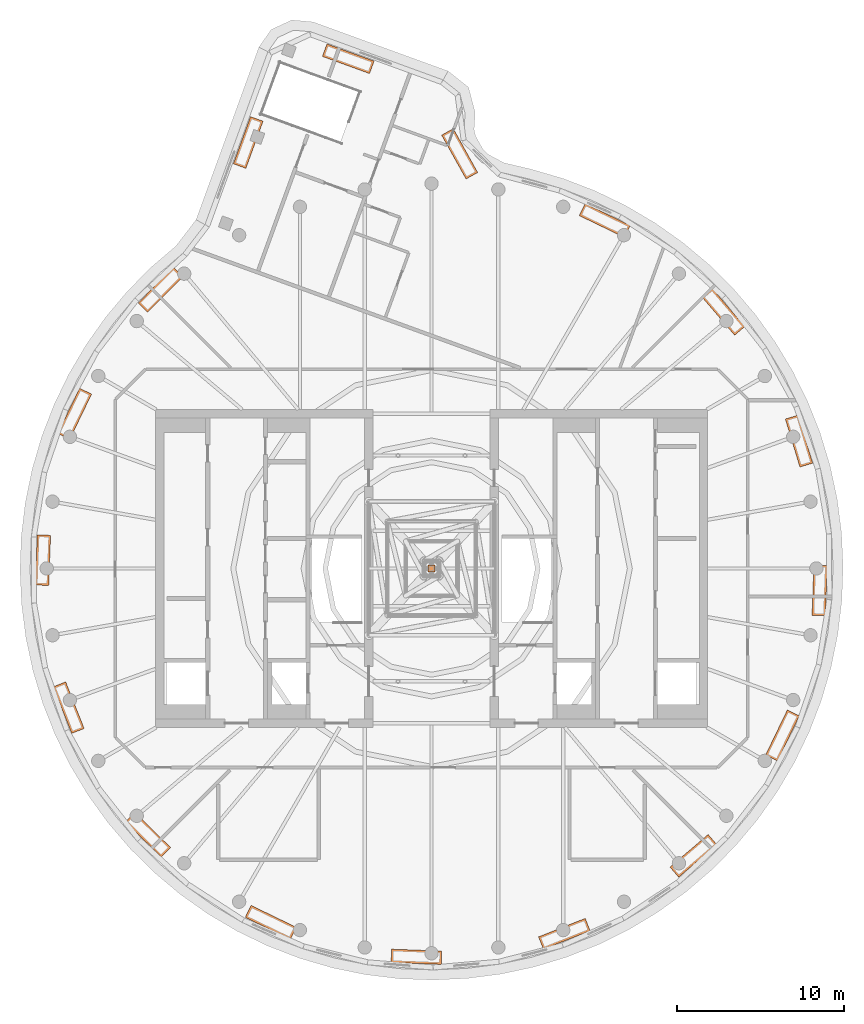
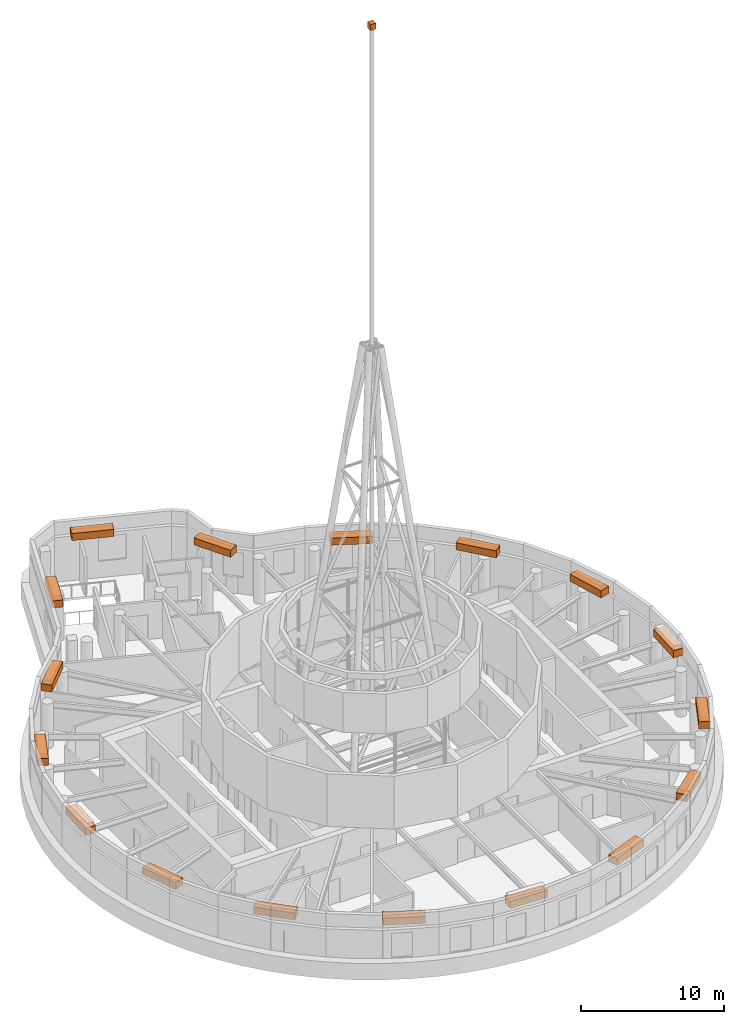
# One storey, part 17 of 17: 18 proxies.
"""IFC4 building model written with IfcOpenShell, lengths in metres."""

import ifcopenshell
import ifcopenshell.guid

model = None  # the IFC model being written
_history = None  # IfcOwnerHistory: only IFC2X3 demands one
_inside = {}  # id of a spatial element -> (the spatial element, [elements in it])
_under = {}  # id of a project, library or spatial element -> (it, [spatial elements below it])
_declared = {}  # id of a project -> (the project, [libraries it declares])
_typed = {}  # id of a type object -> (the type object, [elements of that type])
_made_of = {}  # id of a material, layer set ... -> (it, [elements and type objects made of it])


def new_model(schema):
    """Start an empty IFC model of exactly this schema.

    Asked for "IFC4X3", IfcOpenShell would pick the latest addendum, in which some entities
    have other attributes; the version numbers below select the first issue.
    IFC2X3 requires an IfcOwnerHistory on every rooted entity: one is made here for all.
    """
    global model, _history
    if schema == "IFC4X3":
        model = ifcopenshell.file(schema_version=(4, 3, 0, 0))
    else:
        model = ifcopenshell.file(schema=schema)
    _inside.clear()
    _under.clear()
    _declared.clear()
    _typed.clear()
    _made_of.clear()
    _history = None
    if model.schema == "IFC2X3":
        org = make("IfcOrganization", Name="unknown")
        user = make(
            "IfcPersonAndOrganization",
            ThePerson=make("IfcPerson", FamilyName="unknown"),
            TheOrganization=org,
        )
        app = make(
            "IfcApplication",
            ApplicationDeveloper=org,
            Version="unknown",
            ApplicationFullName="unknown",
            ApplicationIdentifier="unknown",
        )
        _history = make(
            "IfcOwnerHistory",
            OwningUser=user,
            OwningApplication=app,
            ChangeAction="ADDED",
            CreationDate=0,
        )
    return model


def make(cls, **values):
    """One entity of the class cls with the attributes given. An attribute that is None is left unset."""
    return model.create_entity(
        cls, **{name: value for name, value in values.items() if value is not None}
    )


def rooted(cls, **values):
    """An entity with a GlobalId (a new one), such as an element, a storey or a relation."""
    return make(cls, GlobalId=ifcopenshell.guid.new(), OwnerHistory=_history, **values)


def si_unit(unit_type, name, prefix=None):
    """IfcSIUnit, for example si_unit("LENGTHUNIT", "METRE", prefix="MILLI")."""
    return make("IfcSIUnit", UnitType=unit_type, Prefix=prefix, Name=name)


def assignment(units):
    """IfcUnitAssignment: the units of a project."""
    return None if units is None else make("IfcUnitAssignment", Units=units)


def point(xyz):
    """IfcCartesianPoint."""
    return None if xyz is None else make("IfcCartesianPoint", Coordinates=xyz)


def direction(xyz):
    """IfcDirection."""
    return None if xyz is None else make("IfcDirection", DirectionRatios=xyz)


def frame(location, z_axis=None, x_axis=None):
    """IfcAxis2Placement3D, a coordinate frame: its origin and axes. An axis left out is left unset."""
    return make(
        "IfcAxis2Placement3D",
        Location=point(location),
        Axis=direction(z_axis),
        RefDirection=direction(x_axis),
    )


def frame_2d(location, x_axis=None):
    """IfcAxis2Placement2D, a coordinate frame in the plane: its origin and x axis."""
    return make(
        "IfcAxis2Placement2D", Location=point(location), RefDirection=direction(x_axis)
    )


def origin():
    """The frame at (0, 0, 0) with its axes left unset."""
    return frame((0.0, 0.0, 0.0))


def origin_2d():
    """The frame at (0, 0) in the plane with its x axis left unset."""
    return frame_2d((0.0, 0.0))


def place(relative_to, where):
    """IfcLocalPlacement: puts the frame where relative to a parent placement (None: the world)."""
    return make(
        "IfcLocalPlacement", PlacementRelTo=relative_to, RelativePlacement=where
    )


def context(
    kind, dimensions, precision=None, world=None, true_north=None, identifier=None
):
    """IfcGeometricRepresentationContext, for example the 3D "Model" context."""
    return make(
        "IfcGeometricRepresentationContext",
        ContextIdentifier=identifier,
        ContextType=kind,
        CoordinateSpaceDimension=dimensions,
        Precision=precision,
        WorldCoordinateSystem=world,
        TrueNorth=true_north,
    )


def subcontext(parent, identifier, kind, view, scale=None):
    """IfcGeometricRepresentationSubContext, for example "Body" below "Model"."""
    return make(
        "IfcGeometricRepresentationSubContext",
        ContextIdentifier=identifier,
        ContextType=kind,
        ParentContext=parent,
        TargetScale=scale,
        TargetView=view,
    )


def project(units=None, contexts=None):
    """IfcProject with its units and contexts."""
    return rooted(
        "IfcProject",
        Name="project",
        RepresentationContexts=contexts,
        UnitsInContext=assignment(units),
    )


def spatial(cls, under=None, at=None, **own):
    """A site, building, storey or space (cls), placed at a placement, below another one or the project."""
    s = rooted(cls, ObjectPlacement=at, **own)
    if under is not None:
        _under.setdefault(under.id(), (under, []))[1].append(s)
    return s


def profile(cls, at=None, kind="AREA", **sizes):
    """A parametric profile (cls). Its sizes go by their IFC names, for example OverallWidth=200.0."""
    return make(cls, ProfileType=kind, Position=at, **sizes)


def rectangle(**sizes):
    """IfcRectangleProfileDef."""
    return profile("IfcRectangleProfileDef", **sizes)


def extrude(swept, where, along, depth):
    """IfcExtrudedAreaSolid: the profile swept, set in the frame where, extruded along a direction by depth."""
    return make(
        "IfcExtrudedAreaSolid",
        SweptArea=swept,
        Position=where,
        ExtrudedDirection=direction(along),
        Depth=depth,
    )


def shape(context_of_items, identifier, shape_type, items):
    """IfcShapeRepresentation: the items that make up one representation, for example the "Body"."""
    return make(
        "IfcShapeRepresentation",
        ContextOfItems=context_of_items,
        RepresentationIdentifier=identifier,
        RepresentationType=shape_type,
        Items=items,
    )


def material(Name=None, Category=None):
    """IfcMaterial."""
    return make("IfcMaterial", Name=Name, Category=Category)


def made_of(thing, what):
    """Note that an element or type object is made of a material, layer set ...; save() writes the relation."""
    if what is not None:
        _made_of.setdefault(what.id(), (what, []))[1].append(thing)
    return thing


def type_object(cls, material=None, **own):
    """A type object (cls), such as IfcWallType, which elements share."""
    return made_of(rooted(cls, **own), material)


def element(
    cls,
    number,
    at=None,
    inside=None,
    cuts=None,
    type_object=None,
    material=None,
    context=None,
    identifier="Body",
    shape_type=None,
    held_by="IfcProductDefinitionShape",
    body=None,
    shapes=None,
    **own,
):
    """One element of the class cls, such as IfcWall. Its Tag is "e" and its number.

    at: its placement. inside: the storey or other place that contains it. cuts: it is an
    opening in that element (IfcRelVoidsElement). A single representation is given by context,
    identifier, shape_type and body (its items); several are given by shapes. held_by: the class
    of the entity that holds the representations. save() writes the other relations.
    """
    e = rooted(cls, Tag="e%d" % number, ObjectPlacement=at, **own)
    if body is not None:
        shapes = [shape(context, identifier, shape_type, body)]
    if shapes is not None:
        e.Representation = make(held_by, Representations=shapes)
    if inside is not None:
        _inside.setdefault(inside.id(), (inside, []))[1].append(e)
    if cuts is not None:
        rooted(
            "IfcRelVoidsElement", RelatingBuildingElement=cuts, RelatedOpeningElement=e
        )
    if type_object is not None:
        _typed.setdefault(type_object.id(), (type_object, []))[1].append(e)
    return made_of(e, material)


def aggregate(whole, parts):
    """IfcRelAggregates: a whole, such as a stair, and the parts it consists of."""
    return rooted("IfcRelAggregates", RelatingObject=whole, RelatedObjects=parts)


def save(model, path):
    """Write the relations noted so far, then the file.

    IfcRelAggregates (storeys below a building ...), IfcRelContainedInSpatialStructure (elements
    in a storey), IfcRelDefinesByType, IfcRelAssociatesMaterial and IfcRelDeclares: one each for
    every whole, place, type object, material and project.
    """
    for whole, parts in _under.values():
        aggregate(whole, parts)
    for where, things in _inside.values():
        rooted(
            "IfcRelContainedInSpatialStructure",
            RelatedElements=things,
            RelatingStructure=where,
        )
    for kind, things in _typed.values():
        rooted("IfcRelDefinesByType", RelatedObjects=things, RelatingType=kind)
    for what, things in _made_of.values():
        rooted("IfcRelAssociatesMaterial", RelatedObjects=things, RelatingMaterial=what)
    for by, libraries in _declared.values():
        rooted("IfcRelDeclares", RelatingContext=by, RelatedDefinitions=libraries)
    model.write(path)


model = new_model("IFC4")

# Units and contexts
model_context = context("Model", 3, precision=1e-05, world=origin(), true_north=direction((0.0, 1.0)))
body_context = subcontext(model_context, "Body", "Model", "MODEL_VIEW")
ifc_project = project(units=[si_unit("LENGTHUNIT", "METRE"), si_unit("AREAUNIT", "SQUARE_METRE"), si_unit("VOLUMEUNIT", "CUBIC_METRE"), si_unit("PLANEANGLEUNIT", "RADIAN"), si_unit("MASSUNIT", "GRAM", prefix="KILO")], contexts=[model_context])

# Site, building, storey
site_placement = place(None, origin())
site = spatial("IfcSite", under=ifc_project, at=site_placement, CompositionType="ELEMENT")
building_placement = place(site_placement, origin())
building = spatial("IfcBuilding", under=site, at=building_placement, Name="Tamarind Cross Interchange Tower", CompositionType="ELEMENT")
storey_placement = place(building_placement, frame((0.0, 0.0, 325.39990234375)))
storey = spatial("IfcBuildingStorey", under=building, at=storey_placement, Name="L80", CompositionType="ELEMENT", Elevation=325.39990234375)

# Proxies
ifc_material_1 = material(Name="Concrete C30", Category="concrete")
building_element_proxy_type_1 = type_object("IfcBuildingElementProxyType", Name="Planter", PredefinedType="USERDEFINED", material=ifc_material_1)
proxy_1_placement = place(storey_placement, origin())
element("IfcBuildingElementProxy", 1, at=proxy_1_placement, inside=storey, type_object=building_element_proxy_type_1, Name="PLT-L80-00-00", ObjectType="Planter", PredefinedType="USERDEFINED", context=body_context, shape_type="SweptSolid", body=[
    extrude(rectangle(XDim=3.0, YDim=0.800048828125, at=origin_2d()), frame((-4.978515625, 30.462890625, 4.0), z_axis=(0.0, 0.0, 1.0), x_axis=(-0.939702171424, 0.341993902024, 0.0)), (0.0, 0.0, 1.0), 0.60009765625),
])
proxy_2_placement = place(storey_placement, origin())
element("IfcBuildingElementProxy", 2, at=proxy_2_placement, inside=storey, type_object=building_element_proxy_type_1, Name="PLT-L80-01-00", ObjectType="Planter", PredefinedType="USERDEFINED", context=body_context, shape_type="SweptSolid", body=[
    extrude(rectangle(XDim=3.0, YDim=0.800048828125, at=origin_2d()), frame((-10.957275390625, 25.45751953125, 4.0), z_axis=(0.0, 0.0, 1.0), x_axis=(-0.341993902024, -0.939702171424, 0.0)), (0.0, 0.0, 1.0), 0.60009765625),
])
proxy_3_placement = place(storey_placement, origin())
element("IfcBuildingElementProxy", 3, at=proxy_3_placement, inside=storey, type_object=building_element_proxy_type_1, Name="PLT-L80-02-00", ObjectType="Planter", PredefinedType="USERDEFINED", context=body_context, shape_type="SweptSolid", body=[
    extrude(rectangle(XDim=3.0, YDim=0.800048828125, at=origin_2d()), frame((-16.196533203125, 16.6513671875, 4.0), z_axis=(0.0, 0.0, 1.0), x_axis=(-0.704057148523, -0.710143317658, 0.0)), (0.0, 0.0, 1.0), 0.60009765625),
])
proxy_4_placement = place(storey_placement, origin())
element("IfcBuildingElementProxy", 4, at=proxy_4_placement, inside=storey, type_object=building_element_proxy_type_1, Name="PLT-L80-02-01", ObjectType="Planter", PredefinedType="USERDEFINED", context=body_context, shape_type="SweptSolid", body=[
    extrude(rectangle(XDim=3.0, YDim=0.800048828125, at=origin_2d()), frame((-21.32861328125, 9.243408203125, 4.0), z_axis=(0.0, 0.0, 1.0), x_axis=(-0.435326231914, -0.900272776334, 0.0)), (0.0, 0.0, 1.0), 0.60009765625),
])
proxy_5_placement = place(storey_placement, origin())
element("IfcBuildingElementProxy", 5, at=proxy_5_placement, inside=storey, type_object=building_element_proxy_type_1, Name="PLT-L80-02-02", ObjectType="Planter", PredefinedType="USERDEFINED", context=body_context, shape_type="SweptSolid", body=[
    extrude(rectangle(XDim=3.0, YDim=0.800048828125, at=origin_2d()), frame((-23.22314453125, 0.495361328125, 4.0), z_axis=(0.0, 0.0, 1.0), x_axis=(-0.037024696392, -0.999314350871, 0.0)), (0.0, 0.0, 1.0), 0.60009765625),
])
proxy_6_placement = place(storey_placement, origin())
element("IfcBuildingElementProxy", 6, at=proxy_6_placement, inside=storey, type_object=building_element_proxy_type_1, Name="PLT-L80-02-03", ObjectType="Planter", PredefinedType="USERDEFINED", context=body_context, shape_type="SweptSolid", body=[
    extrude(rectangle(XDim=3.0, YDim=0.800048828125, at=origin_2d()), frame((-21.68603515625, -8.318359375, 4.0), z_axis=(0.0, 0.0, 1.0), x_axis=(0.367513773146, -0.930018078613, 0.0)), (0.0, 0.0, 1.0), 0.60009765625),
])
proxy_7_placement = place(storey_placement, origin())
element("IfcBuildingElementProxy", 7, at=proxy_7_placement, inside=storey, type_object=building_element_proxy_type_1, Name="PLT-L80-02-04", ObjectType="Planter", PredefinedType="USERDEFINED", context=body_context, shape_type="SweptSolid", body=[
    extrude(rectangle(XDim=3.0, YDim=0.800048828125, at=origin_2d()), frame((-16.94287109375, -15.90771484375, 4.0), z_axis=(0.0, 0.0, 1.0), x_axis=(0.710143317658, -0.704057148523, 0.0)), (0.0, 0.0, 1.0), 0.60009765625),
])
proxy_8_placement = place(storey_placement, origin())
element("IfcBuildingElementProxy", 8, at=proxy_8_placement, inside=storey, type_object=building_element_proxy_type_1, Name="PLT-L80-02-05", ObjectType="Planter", PredefinedType="USERDEFINED", context=body_context, shape_type="SweptSolid", body=[
    extrude(rectangle(XDim=3.0, YDim=0.800048828125, at=origin_2d()), frame((-9.613037109375, -21.14990234375, 4.0), z_axis=(0.0, 0.0, 1.0), x_axis=(0.900272776334, -0.435326231914, 0.0)), (0.0, 0.0, 1.0), 0.60009765625),
])
proxy_9_placement = place(storey_placement, origin())
element("IfcBuildingElementProxy", 9, at=proxy_9_placement, inside=storey, type_object=building_element_proxy_type_1, Name="PLT-L80-02-06", ObjectType="Planter", PredefinedType="USERDEFINED", context=body_context, shape_type="SweptSolid", body=[
    extrude(rectangle(XDim=3.0, YDim=0.800048828125, at=origin_2d()), frame((-0.905517578125, -23.207763671875, 4.0), z_axis=(0.0, 0.0, 1.0), x_axis=(0.999314350871, -0.037024696392, 0.0)), (0.0, 0.0, 1.0), 0.60009765625),
])
proxy_10_placement = place(storey_placement, origin())
element("IfcBuildingElementProxy", 10, at=proxy_10_placement, inside=storey, type_object=building_element_proxy_type_1, Name="PLT-L80-02-07", ObjectType="Planter", PredefinedType="USERDEFINED", context=body_context, shape_type="SweptSolid", body=[
    extrude(rectangle(XDim=3.0, YDim=0.800048828125, at=origin_2d()), frame((7.936767578125, -21.836669921875, 4.0), z_axis=(0.0, 0.0, 1.0), x_axis=(0.930018078613, 0.367513773146, 0.0)), (0.0, 0.0, 1.0), 0.60009765625),
])
proxy_11_placement = place(storey_placement, origin())
element("IfcBuildingElementProxy", 11, at=proxy_11_placement, inside=storey, type_object=building_element_proxy_type_1, Name="PLT-L80-02-08", ObjectType="Planter", PredefinedType="USERDEFINED", context=body_context, shape_type="SweptSolid", body=[
    extrude(rectangle(XDim=3.0, YDim=0.800048828125, at=origin_2d()), frame((15.64990234375, -17.177001953125, 4.0), z_axis=(0.0, 0.0, 1.0), x_axis=(0.760295606781, 0.64957723968, 0.0)), (0.0, 0.0, 1.0), 0.60009765625),
])
proxy_12_placement = place(storey_placement, origin())
element("IfcBuildingElementProxy", 12, at=proxy_12_placement, inside=storey, type_object=building_element_proxy_type_1, Name="PLT-L80-02-09", ObjectType="Planter", PredefinedType="USERDEFINED", context=body_context, shape_type="SweptSolid", body=[
    extrude(rectangle(XDim=3.0, YDim=0.800048828125, at=origin_2d()), frame((20.97119140625, -9.982421875, 4.0), z_axis=(0.0, 0.0, 1.0), x_axis=(0.435326231914, 0.900272776334, 0.0)), (0.0, 0.0, 1.0), 0.60009765625),
])
proxy_13_placement = place(storey_placement, origin())
element("IfcBuildingElementProxy", 13, at=proxy_13_placement, inside=storey, type_object=building_element_proxy_type_1, Name="PLT-L80-02-10", ObjectType="Planter", PredefinedType="USERDEFINED", context=body_context, shape_type="SweptSolid", body=[
    extrude(rectangle(XDim=3.0, YDim=0.800048828125, at=origin_2d()), frame((23.192626953125, -1.315673828125, 4.0), z_axis=(0.0, 0.0, 1.0), x_axis=(0.037024696392, 0.999314350871, 0.0)), (0.0, 0.0, 1.0), 0.60009765625),
])
proxy_14_placement = place(storey_placement, origin())
element("IfcBuildingElementProxy", 14, at=proxy_14_placement, inside=storey, type_object=building_element_proxy_type_1, Name="PLT-L80-02-11", ObjectType="Planter", PredefinedType="USERDEFINED", context=body_context, shape_type="SweptSolid", body=[
    extrude(rectangle(XDim=3.0, YDim=0.800048828125, at=origin_2d()), frame((21.96240234375, 7.61181640625, 4.0), z_axis=(0.0, 0.0, 1.0), x_axis=(-0.289458243079, 0.957190642199, 0.0)), (0.0, 0.0, 1.0), 0.60009765625),
])
proxy_15_placement = place(storey_placement, origin())
element("IfcBuildingElementProxy", 15, at=proxy_15_placement, inside=storey, type_object=building_element_proxy_type_1, Name="PLT-L80-02-12", ObjectType="Planter", PredefinedType="USERDEFINED", context=body_context, shape_type="SweptSolid", body=[
    extrude(rectangle(XDim=3.0, YDim=0.800048828125, at=origin_2d()), frame((17.443603515625, 15.337890625, 4.0), z_axis=(0.0, 0.0, 1.0), x_axis=(-0.64957723968, 0.760295606781, 0.0)), (0.0, 0.0, 1.0), 0.60009765625),
])
proxy_16_placement = place(storey_placement, origin())
element("IfcBuildingElementProxy", 16, at=proxy_16_placement, inside=storey, type_object=building_element_proxy_type_1, Name="PLT-L80-02-13", ObjectType="Planter", PredefinedType="USERDEFINED", context=body_context, shape_type="SweptSolid", body=[
    extrude(rectangle(XDim=3.0, YDim=0.800048828125, at=origin_2d()), frame((10.35205078125, 20.79248046875, 4.0), z_axis=(0.0, 0.0, 1.0), x_axis=(-0.900272776334, 0.435326231914, 0.0)), (0.0, 0.0, 1.0), 0.60009765625),
])
proxy_17_placement = place(storey_placement, origin())
element("IfcBuildingElementProxy", 17, at=proxy_17_placement, inside=storey, type_object=building_element_proxy_type_1, Name="PLT-L80-02-14", ObjectType="Planter", PredefinedType="USERDEFINED", context=body_context, shape_type="SweptSolid", body=[
    extrude(rectangle(XDim=3.0, YDim=0.800048828125, at=origin_2d()), frame((1.68017578125, 24.780517578125, 4.0), z_axis=(0.0, 0.0, 1.0), x_axis=(-0.486026493314, 0.873944075898, 0.0)), (0.0, 0.0, 1.0), 0.60009765625),
])
ifc_material_2 = material(Name="Aluminium", Category="aluminium")
building_element_proxy_type_2 = type_object("IfcBuildingElementProxyType", Name="Spire beacon", PredefinedType="USERDEFINED", material=ifc_material_2)
proxy_18_placement = place(storey_placement, frame((0.0, 0.0, 64.0), z_axis=(0.0, 0.0, 1.0), x_axis=(1.0, 0.0, 0.0)))
element("IfcBuildingElementProxy", 18, at=proxy_18_placement, inside=storey, type_object=building_element_proxy_type_2, Name="SPR-ROOF-BCN", ObjectType="Spire beacon", PredefinedType="USERDEFINED", context=body_context, shape_type="SweptSolid", body=[
    extrude(rectangle(XDim=0.43994140625, YDim=0.43994140625, at=origin_2d()), origin(), (0.0, 0.0, 1.0), 0.5),
])

save(model, "model.ifc")
